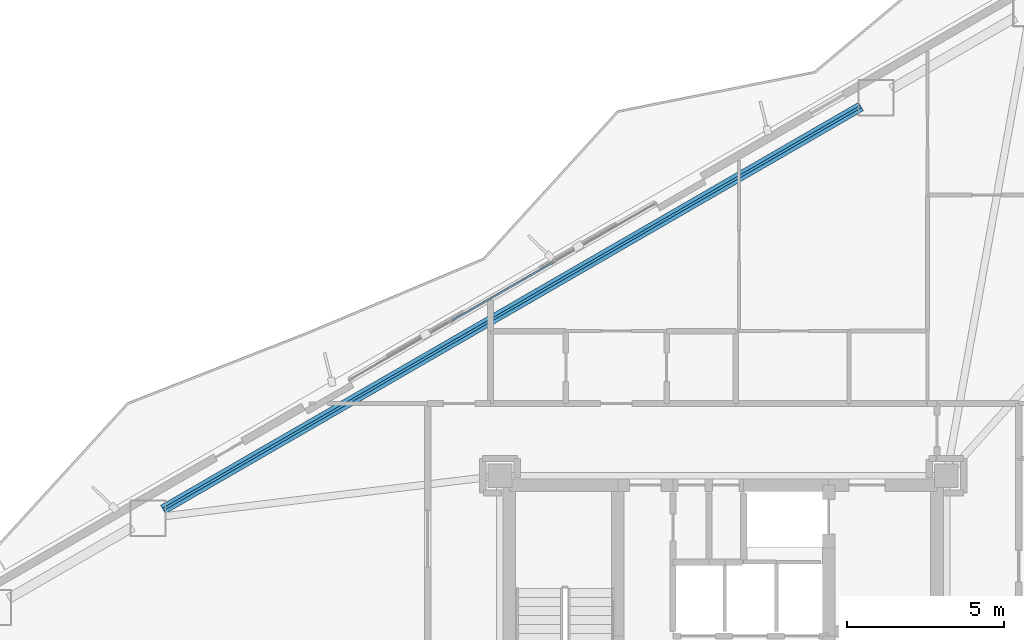
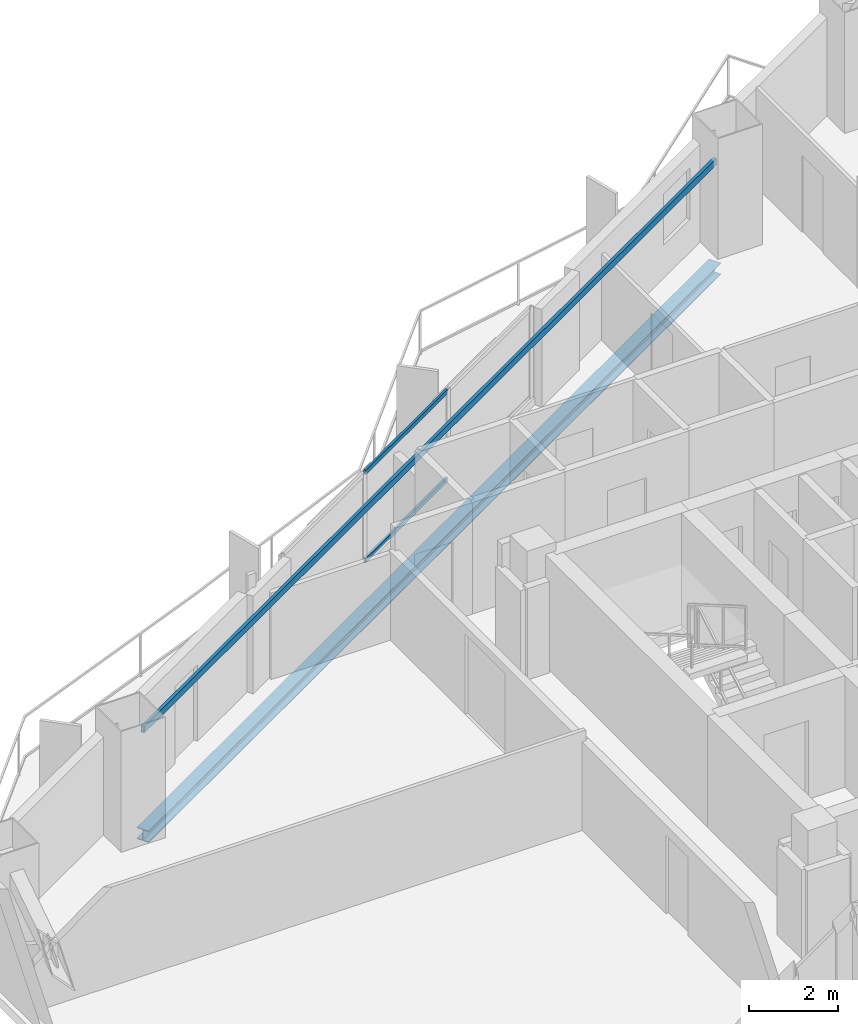
# One storey, part 12 of 22: 2 beams, 2 members, 1 element without a shape of its own.
"""IFC4 building model written with IfcOpenShell, lengths in metres."""

from ifc_helpers import new_model, si_unit, direction, frame, origin, origin_2d, place, context, subcontext, project, spatial, hollow_rectangle, i_section, extrude, material, layer, layer_set, material_profile, profile_set, type_object, element, aggregate, save


model = new_model("IFC4")

# Units and contexts
model_context = context("Model", 3, precision=1e-05, world=origin(), true_north=direction((0.0, 1.0)))
body_context = subcontext(model_context, "Body", "Model", "MODEL_VIEW")
ifc_project = project(units=[si_unit("LENGTHUNIT", "METRE"), si_unit("AREAUNIT", "SQUARE_METRE"), si_unit("VOLUMEUNIT", "CUBIC_METRE"), si_unit("PLANEANGLEUNIT", "RADIAN"), si_unit("MASSUNIT", "GRAM", prefix="KILO")], contexts=[model_context])

# Site, building, storey
site_placement = place(None, origin())
site = spatial("IfcSite", under=ifc_project, at=site_placement, CompositionType="ELEMENT")
building_placement = place(site_placement, origin())
building = spatial("IfcBuilding", under=site, at=building_placement, Name="Mersakhor Tower and Convention Hall", CompositionType="ELEMENT")
storey_placement = place(building_placement, frame((0.0, 0.0, 109.800048828125)))
storey = spatial("IfcBuildingStorey", under=building, at=storey_placement, Name="L30", CompositionType="ELEMENT", Elevation=109.800048828125)

# Beams
ifc_material_1 = material(Name="Steel S355", Category="steel")
ifc_material_profile_1 = material_profile(ifc_material_1, hollow_rectangle(XDim=0.080078125, YDim=0.179931640625, WallThickness=0.008056640625, at=origin_2d()), Name="RHS 180x80x8")
ifc_profile_set_1 = profile_set([ifc_material_profile_1], Name="Steel S355")
beam_type_1 = type_object("IfcBeamType", Name="BM-GRT-RHS180", PredefinedType="USERDEFINED", material=ifc_profile_set_1)
beam_1_placement = place(storey_placement, frame((11.18310546875, 31.976318359375, 2.47998046875), z_axis=(0.866022538643, 0.500004962538, 0.0), x_axis=(-0.500004962538, 0.866022538643, 0.0)))
element("IfcBeam", 1, at=beam_1_placement, inside=storey, type_object=beam_type_1, Name="L30 Facade Support Girt GRT-F1", ObjectType="GIRT", PredefinedType="USERDEFINED", context=body_context, shape_type="SweptSolid", body=[
    extrude(hollow_rectangle(XDim=0.080078125, YDim=0.179931640625, WallThickness=0.008056640625, at=origin_2d()), origin(), (0.0, 0.0, 1.0), 25.633544921875),
])
ifc_material_2 = material(Name="Steel S355", Category="steel")
ifc_material_profile_2 = material_profile(ifc_material_2, i_section(OverallWidth=0.30908203125, OverallDepth=0.320556640625, WebThickness=0.013916015625, FlangeThickness=0.021728515625, at=origin_2d()), Name="UC 305x305x137")
ifc_profile_set_2 = profile_set([ifc_material_profile_2], Name="Steel S355")
beam_type_2 = type_object("IfcBeamType", Name="BM-SPD-UC305", PredefinedType="SPANDREL", material=ifc_profile_set_2)
beam_2_placement = place(storey_placement, frame((11.18310546875, 31.976318359375, -0.410400390625), z_axis=(0.866022538643, 0.500004962538, 0.0), x_axis=(-0.500004962538, 0.866022538643, 0.0)))
element("IfcBeam", 2, at=beam_2_placement, inside=storey, type_object=beam_type_2, Name="L30 Perimeter Spandrel Beam SPB-02", PredefinedType="SPANDREL", context=body_context, shape_type="SweptSolid", body=[
    extrude(i_section(OverallWidth=0.30908203125, OverallDepth=0.320556640625, WebThickness=0.013916015625, FlangeThickness=0.021728515625, at=origin_2d()), origin(), (0.0, 0.0, 1.0), 25.633544921875),
])

# Curtain wall, members
ifc_material_3 = material(Name="Dark solar low-E aluminium curtain wall", Category="aluminium")
ifc_layer = layer(ifc_material_3, 0.159912109375)
ifc_layer_set = layer_set([ifc_layer], Name="Dark solar low-E aluminium curtain wall")
curtain_wall_type = type_object("IfcCurtainWallType", Name="CW-SYS-01", PredefinedType="USERDEFINED", material=ifc_layer_set)
curtain_wall_placement = place(storey_placement, origin())
curtain_wall = element("IfcCurtainWall", 3, at=curtain_wall_placement, inside=storey, type_object=curtain_wall_type, Name="L30 Dark-Glass Curtain Wall F1-B2", ObjectType="CURTAIN WALL", PredefinedType="USERDEFINED")
ifc_material_4 = material(Name="Anodised aluminium EN AW-6063 T6", Category="aluminium")
ifc_material_profile_3 = material_profile(ifc_material_4, hollow_rectangle(XDim=0.06005859375, YDim=0.1201171875, WallThickness=0.0048828125, at=origin_2d()), Name="RHS 120x60x5")
ifc_profile_set_3 = profile_set([ifc_material_profile_3], Name="Anodised aluminium EN AW-6063 T6")
member_type = type_object("IfcMemberType", Name="CWT-120x60", PredefinedType="USERDEFINED", material=ifc_profile_set_3)
member_1_placement = place(storey_placement, frame((20.394287109375, 37.9873046875, 0.22998046875), z_axis=(0.866039286129, 0.499975954304, 0.0), x_axis=(-0.499975954304, 0.866039286129, 0.0)))
member_1 = element("IfcMember", 4, at=member_1_placement, type_object=member_type, Name="CW-01 transom 2.1", ObjectType="TRANSOM", PredefinedType="USERDEFINED", context=body_context, shape_type="SweptSolid", body=[
    extrude(hollow_rectangle(XDim=0.06005859375, YDim=0.1201171875, WallThickness=0.0048828125, at=origin_2d()), origin(), (0.0, 0.0, 1.0), 3.668212890625),
])
member_2_placement = place(storey_placement, frame((20.394287109375, 37.9873046875, 2.639892578125), z_axis=(0.866039286129, 0.499975954304, 0.0), x_axis=(-0.499975954304, 0.866039286129, 0.0)))
member_2 = element("IfcMember", 5, at=member_2_placement, type_object=member_type, Name="CW-01 transom 2.2", ObjectType="TRANSOM", PredefinedType="USERDEFINED", context=body_context, shape_type="SweptSolid", body=[
    extrude(hollow_rectangle(XDim=0.06005859375, YDim=0.1201171875, WallThickness=0.0048828125, at=origin_2d()), origin(), (0.0, 0.0, 1.0), 3.668212890625),
])
aggregate(curtain_wall, [member_1, member_2])

save(model, "model.ifc")
